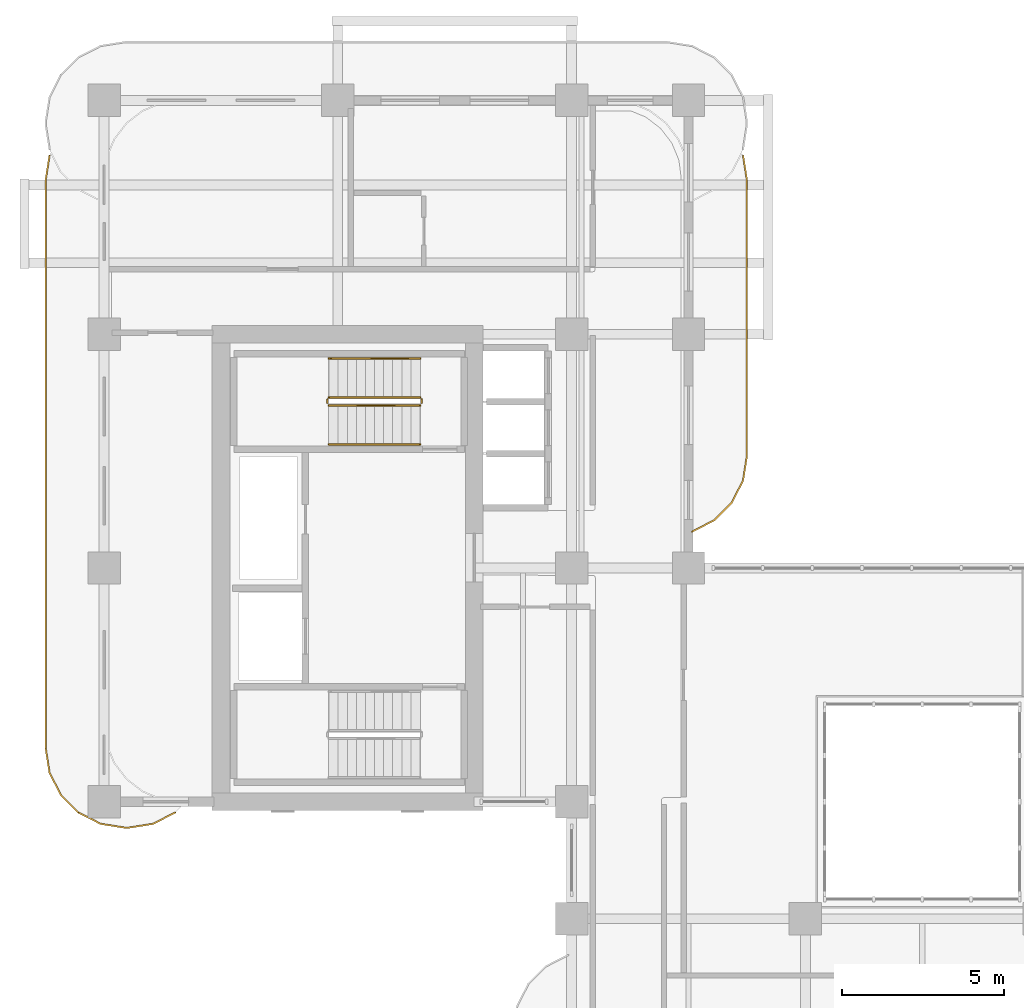
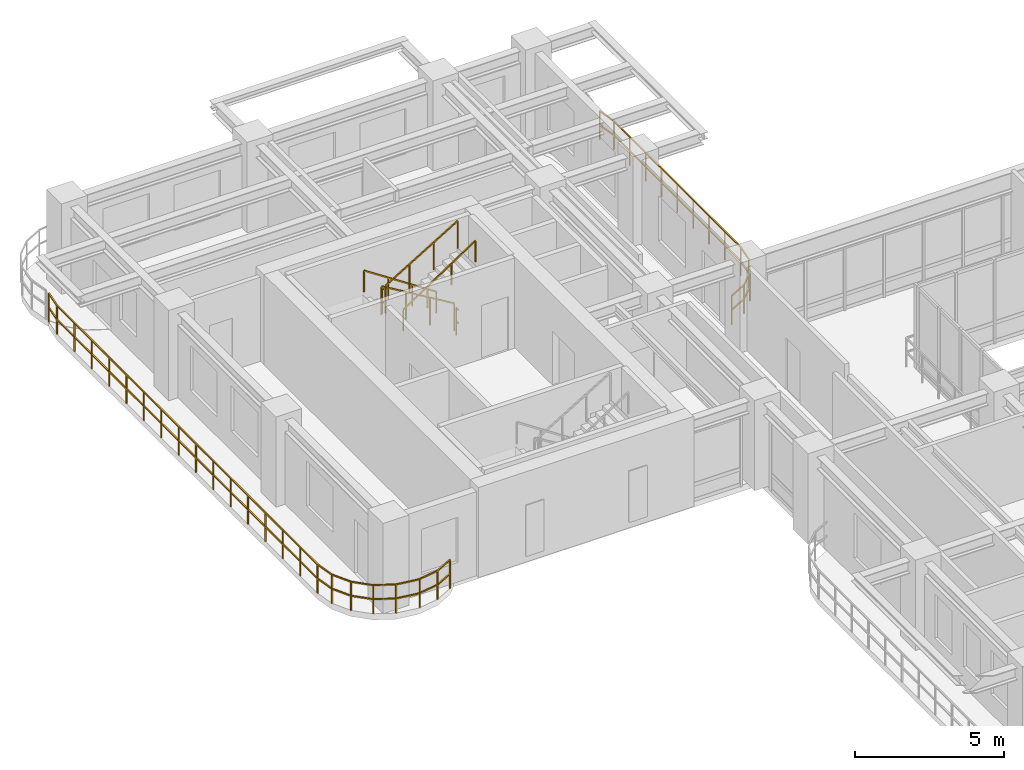
# One storey, part 19 of 20: 8 railings.
"""IFC4 building model written with IfcOpenShell, lengths in metres."""

from ifc_helpers import new_model, si_unit, derived_unit, direction, frame, origin, origin_2d, place, context, subcontext, project, spatial, rectangle, extrude, material, type_object, element, save


model = new_model("IFC4")

# Units and contexts
model_context = context("Model", 3, precision=1e-05, world=origin(), true_north=direction((0.0, 1.0)))
body_context = subcontext(model_context, "Body", "Model", "MODEL_VIEW")
ifc_project = project(units=[si_unit("LENGTHUNIT", "METRE"), si_unit("AREAUNIT", "SQUARE_METRE"), si_unit("VOLUMEUNIT", "CUBIC_METRE"), si_unit("PLANEANGLEUNIT", "RADIAN"), si_unit("MASSUNIT", "GRAM", prefix="KILO"), si_unit("THERMODYNAMICTEMPERATUREUNIT", "KELVIN"), si_unit("POWERUNIT", "WATT"), derived_unit("THERMALTRANSMITTANCEUNIT", [(si_unit("POWERUNIT", "WATT"), 1), (si_unit("AREAUNIT", "SQUARE_METRE"), -1), (si_unit("THERMODYNAMICTEMPERATUREUNIT", "KELVIN"), -1)])], contexts=[model_context])

# Site, building, storey
site_placement = place(None, origin())
site = spatial("IfcSite", under=ifc_project, at=site_placement, CompositionType="ELEMENT")
building_placement = place(site_placement, origin())
building = spatial("IfcBuilding", under=site, at=building_placement, Name="Zahravan Archway Hotel and Residences", CompositionType="ELEMENT")
storey_placement = place(building_placement, frame((0.0, 0.0, 111.800048828125)))
storey = spatial("IfcBuildingStorey", under=building, at=storey_placement, Name="L27", CompositionType="ELEMENT", Elevation=111.800048828125)

# Railings
ifc_material_1 = material(Name="Bronze & Laminated Glass Balustrade", Category="glass")
railing_type_1 = type_object("IfcRailingType", Name="RL-BAL-1200", PredefinedType="BALUSTRADE", material=ifc_material_1)
railing_1_placement = place(storey_placement, frame((2.190185546875, 24.867919921875, 0.0)))
element("IfcRailing", 1, at=railing_1_placement, inside=storey, type_object=railing_type_1, Name="L27 Balustrade RL-SLB-BAL-L27-WB-1", PredefinedType="BALUSTRADE", context=body_context, shape_type="SweptSolid", body=[
    extrude(rectangle(XDim=0.048095703125, YDim=0.048095703125, at=origin_2d()), frame((0.0, 0.0, 1.17578125), z_axis=(-0.891090529897, -0.453825591531, 0.0), x_axis=(0.453825591531, -0.891090529897, 0.0)), (0.0, 0.0, 1.0), 0.7666015625),
    extrude(rectangle(XDim=0.048095703125, YDim=0.048095703125, at=origin_2d()), frame((0.0, 0.0, 0.60009765625), z_axis=(-0.891090529897, -0.453825591531, 0.0), x_axis=(0.453825591531, -0.891090529897, 0.0)), (0.0, 0.0, 1.0), 0.7666015625),
    extrude(rectangle(XDim=0.048095703125, YDim=0.048095703125, at=origin_2d()), frame((-0.68310546875, -0.347900390625, 1.17578125), z_axis=(-0.987646484274, -0.156698507018, 0.0), x_axis=(0.156698507018, -0.987646484274, 0.0)), (0.0, 0.0, 1.0), 0.7666015625),
    extrude(rectangle(XDim=0.048095703125, YDim=0.048095703125, at=origin_2d()), frame((-0.68310546875, -0.347900390625, 0.60009765625), z_axis=(-0.987646484274, -0.156698507018, 0.0), x_axis=(0.156698507018, -0.987646484274, 0.0)), (0.0, 0.0, 1.0), 0.7666015625),
    extrude(rectangle(XDim=0.048095703125, YDim=0.048095703125, at=origin_2d()), frame((-1.440185546875, -0.468017578125, 1.17578125), z_axis=(-1.0, 0.0, 0.0), x_axis=(0.0, -1.0, 0.0)), (0.0, 0.0, 1.0), 0.10009765625),
    extrude(rectangle(XDim=0.048095703125, YDim=0.048095703125, at=origin_2d()), frame((-1.440185546875, -0.468017578125, 0.60009765625), z_axis=(-1.0, 0.0, 0.0), x_axis=(0.0, -1.0, 0.0)), (0.0, 0.0, 1.0), 0.10009765625),
    extrude(rectangle(XDim=0.048095703125, YDim=0.048095703125, at=origin_2d()), frame((-1.540283203125, -0.468017578125, 1.17578125), z_axis=(-0.987646484274, 0.156698507018, 0.0), x_axis=(-0.156698507018, -0.987646484274, 0.0)), (0.0, 0.0, 1.0), 0.7666015625),
    extrude(rectangle(XDim=0.048095703125, YDim=0.048095703125, at=origin_2d()), frame((-1.540283203125, -0.468017578125, 0.60009765625), z_axis=(-0.987646484274, 0.156698507018, 0.0), x_axis=(-0.156698507018, -0.987646484274, 0.0)), (0.0, 0.0, 1.0), 0.7666015625),
    extrude(rectangle(XDim=0.048095703125, YDim=0.048095703125, at=origin_2d()), frame((-2.29736328125, -0.347900390625, 1.17578125), z_axis=(-0.891024909783, 0.453954414172, 0.0), x_axis=(-0.453954414172, -0.891024909783, 0.0)), (0.0, 0.0, 1.0), 0.766357421875),
    extrude(rectangle(XDim=0.048095703125, YDim=0.048095703125, at=origin_2d()), frame((-2.29736328125, -0.347900390625, 0.60009765625), z_axis=(-0.891024909783, 0.453954414172, 0.0), x_axis=(-0.453954414172, -0.891024909783, 0.0)), (0.0, 0.0, 1.0), 0.766357421875),
    extrude(rectangle(XDim=0.048095703125, YDim=0.048095703125, at=origin_2d()), frame((-2.980224609375, 0.0, 1.17578125), z_axis=(-0.707106781187, 0.707106781187, 0.0), x_axis=(-0.707106781187, -0.707106781187, 0.0)), (0.0, 0.0, 1.0), 0.7666015625),
    extrude(rectangle(XDim=0.048095703125, YDim=0.048095703125, at=origin_2d()), frame((-2.980224609375, 0.0, 0.60009765625), z_axis=(-0.707106781187, 0.707106781187, 0.0), x_axis=(-0.707106781187, -0.707106781187, 0.0)), (0.0, 0.0, 1.0), 0.7666015625),
    extrude(rectangle(XDim=0.048095703125, YDim=0.048095703125, at=origin_2d()), frame((-3.522216796875, 0.5419921875, 1.17578125), z_axis=(-0.454078418624, 0.890961721815, 0.0), x_axis=(-0.890961721815, -0.454078418624, 0.0)), (0.0, 0.0, 1.0), 0.7666015625),
    extrude(rectangle(XDim=0.048095703125, YDim=0.048095703125, at=origin_2d()), frame((-3.522216796875, 0.5419921875, 0.60009765625), z_axis=(-0.454078418624, 0.890961721815, 0.0), x_axis=(-0.890961721815, -0.454078418624, 0.0)), (0.0, 0.0, 1.0), 0.7666015625),
    extrude(rectangle(XDim=0.048095703125, YDim=0.048095703125, at=origin_2d()), frame((-3.870361328125, 1.22509765625, 1.17578125), z_axis=(-0.156387811283, 0.987695728695, 0.0), x_axis=(-0.987695728695, -0.156387811283, 0.0)), (0.0, 0.0, 1.0), 0.7666015625),
    extrude(rectangle(XDim=0.048095703125, YDim=0.048095703125, at=origin_2d()), frame((-3.870361328125, 1.22509765625, 0.60009765625), z_axis=(-0.156387811283, 0.987695728695, 0.0), x_axis=(-0.987695728695, -0.156387811283, 0.0)), (0.0, 0.0, 1.0), 0.7666015625),
    extrude(rectangle(XDim=0.048095703125, YDim=0.048095703125, at=origin_2d()), frame((-3.990234375, 1.982177734375, 1.17578125), z_axis=(0.0, 1.0, 0.0), x_axis=(-1.0, 0.0, 0.0)), (0.0, 0.0, 1.0), 17.5),
    extrude(rectangle(XDim=0.048095703125, YDim=0.048095703125, at=origin_2d()), frame((-3.990234375, 1.982177734375, 0.60009765625), z_axis=(0.0, 1.0, 0.0), x_axis=(-1.0, 0.0, 0.0)), (0.0, 0.0, 1.0), 17.5),
    extrude(rectangle(XDim=0.048095703125, YDim=0.048095703125, at=origin_2d()), frame((-3.990234375, 19.482177734375, 1.17578125), z_axis=(0.156387811283, 0.987695728695, 0.0), x_axis=(-0.987695728695, 0.156387811283, 0.0)), (0.0, 0.0, 1.0), 0.7666015625),
    extrude(rectangle(XDim=0.048095703125, YDim=0.048095703125, at=origin_2d()), frame((-3.990234375, 19.482177734375, 0.60009765625), z_axis=(0.156387811283, 0.987695728695, 0.0), x_axis=(-0.987695728695, 0.156387811283, 0.0)), (0.0, 0.0, 1.0), 0.7666015625),
    extrude(rectangle(XDim=0.0419921875, YDim=0.0419921875, at=origin_2d()), origin(), (0.0, 0.0, 1.0), 1.15185546875),
    extrude(rectangle(XDim=0.0419921875, YDim=0.0419921875, at=origin_2d()), frame((-0.68310546875, -0.347900390625, 0.0)), (0.0, 0.0, 1.0), 1.15185546875),
    extrude(rectangle(XDim=0.0419921875, YDim=0.0419921875, at=origin_2d()), frame((-1.440185546875, -0.468017578125, 0.0)), (0.0, 0.0, 1.0), 1.15185546875),
    extrude(rectangle(XDim=0.0419921875, YDim=0.0419921875, at=origin_2d()), frame((-2.29736328125, -0.347900390625, 0.0)), (0.0, 0.0, 1.0), 1.15185546875),
    extrude(rectangle(XDim=0.0419921875, YDim=0.0419921875, at=origin_2d()), frame((-2.980224609375, 0.0, 0.0)), (0.0, 0.0, 1.0), 1.15185546875),
    extrude(rectangle(XDim=0.0419921875, YDim=0.0419921875, at=origin_2d()), frame((-3.522216796875, 0.5419921875, 0.0)), (0.0, 0.0, 1.0), 1.15185546875),
    extrude(rectangle(XDim=0.0419921875, YDim=0.0419921875, at=origin_2d()), frame((-3.870361328125, 1.22509765625, 0.0)), (0.0, 0.0, 1.0), 1.15185546875),
    extrude(rectangle(XDim=0.0419921875, YDim=0.0419921875, at=origin_2d()), frame((-3.990234375, 1.982177734375, 0.0)), (0.0, 0.0, 1.0), 1.15185546875),
    extrude(rectangle(XDim=0.0419921875, YDim=0.0419921875, at=origin_2d()), frame((-3.990234375, 3.14892578125, 0.0)), (0.0, 0.0, 1.0), 1.15185546875),
    extrude(rectangle(XDim=0.0419921875, YDim=0.0419921875, at=origin_2d()), frame((-3.990234375, 4.3154296875, 0.0)), (0.0, 0.0, 1.0), 1.15185546875),
    extrude(rectangle(XDim=0.0419921875, YDim=0.0419921875, at=origin_2d()), frame((-3.990234375, 5.482177734375, 0.0)), (0.0, 0.0, 1.0), 1.15185546875),
    extrude(rectangle(XDim=0.0419921875, YDim=0.0419921875, at=origin_2d()), frame((-3.990234375, 6.64892578125, 0.0)), (0.0, 0.0, 1.0), 1.15185546875),
    extrude(rectangle(XDim=0.0419921875, YDim=0.0419921875, at=origin_2d()), frame((-3.990234375, 7.8154296875, 0.0)), (0.0, 0.0, 1.0), 1.15185546875),
    extrude(rectangle(XDim=0.0419921875, YDim=0.0419921875, at=origin_2d()), frame((-3.990234375, 8.982177734375, 0.0)), (0.0, 0.0, 1.0), 1.15185546875),
    extrude(rectangle(XDim=0.0419921875, YDim=0.0419921875, at=origin_2d()), frame((-3.990234375, 10.14892578125, 0.0)), (0.0, 0.0, 1.0), 1.15185546875),
    extrude(rectangle(XDim=0.0419921875, YDim=0.0419921875, at=origin_2d()), frame((-3.990234375, 11.3154296875, 0.0)), (0.0, 0.0, 1.0), 1.15185546875),
    extrude(rectangle(XDim=0.0419921875, YDim=0.0419921875, at=origin_2d()), frame((-3.990234375, 12.482177734375, 0.0)), (0.0, 0.0, 1.0), 1.15185546875),
    extrude(rectangle(XDim=0.0419921875, YDim=0.0419921875, at=origin_2d()), frame((-3.990234375, 13.64892578125, 0.0)), (0.0, 0.0, 1.0), 1.15185546875),
    extrude(rectangle(XDim=0.0419921875, YDim=0.0419921875, at=origin_2d()), frame((-3.990234375, 14.8154296875, 0.0)), (0.0, 0.0, 1.0), 1.15185546875),
    extrude(rectangle(XDim=0.0419921875, YDim=0.0419921875, at=origin_2d()), frame((-3.990234375, 15.982177734375, 0.0)), (0.0, 0.0, 1.0), 1.15185546875),
    extrude(rectangle(XDim=0.0419921875, YDim=0.0419921875, at=origin_2d()), frame((-3.990234375, 17.14892578125, 0.0)), (0.0, 0.0, 1.0), 1.15185546875),
    extrude(rectangle(XDim=0.0419921875, YDim=0.0419921875, at=origin_2d()), frame((-3.990234375, 18.3154296875, 0.0)), (0.0, 0.0, 1.0), 1.15185546875),
    extrude(rectangle(XDim=0.0419921875, YDim=0.0419921875, at=origin_2d()), frame((-3.990234375, 19.482177734375, 0.0)), (0.0, 0.0, 1.0), 1.15185546875),
    extrude(rectangle(XDim=0.0419921875, YDim=0.0419921875, at=origin_2d()), frame((-3.870361328125, 20.2392578125, 0.0)), (0.0, 0.0, 1.0), 1.15185546875),
])
railing_2_placement = place(storey_placement, frame((19.68017578125, 45.107177734375, 0.0)))
element("IfcRailing", 2, at=railing_2_placement, inside=storey, type_object=railing_type_1, Name="L27 Balustrade RL-SLB-BAL-L27-EB-1", PredefinedType="BALUSTRADE", context=body_context, shape_type="SweptSolid", body=[
    extrude(rectangle(XDim=0.048095703125, YDim=0.048095703125, at=origin_2d()), frame((0.0, 0.0, 1.17578125), z_axis=(0.156387811283, -0.987695728695, 0.0), x_axis=(0.987695728695, 0.156387811283, 0.0)), (0.0, 0.0, 1.0), 0.7666015625),
    extrude(rectangle(XDim=0.048095703125, YDim=0.048095703125, at=origin_2d()), frame((0.0, 0.0, 0.60009765625), z_axis=(0.156387811283, -0.987695728695, 0.0), x_axis=(0.987695728695, 0.156387811283, 0.0)), (0.0, 0.0, 1.0), 0.7666015625),
    extrude(rectangle(XDim=0.048095703125, YDim=0.048095703125, at=origin_2d()), frame((0.119873046875, -0.757080078125, 1.17578125), z_axis=(0.0, -1.0, 0.0), x_axis=(1.0, 0.0, 0.0)), (0.0, 0.0, 1.0), 8.5),
    extrude(rectangle(XDim=0.048095703125, YDim=0.048095703125, at=origin_2d()), frame((0.119873046875, -0.757080078125, 0.60009765625), z_axis=(0.0, -1.0, 0.0), x_axis=(1.0, 0.0, 0.0)), (0.0, 0.0, 1.0), 8.5),
    extrude(rectangle(XDim=0.048095703125, YDim=0.048095703125, at=origin_2d()), frame((0.119873046875, -9.257080078125, 1.17578125), z_axis=(-0.156387811283, -0.987695728695, 0.0), x_axis=(0.987695728695, -0.156387811283, 0.0)), (0.0, 0.0, 1.0), 0.7666015625),
    extrude(rectangle(XDim=0.048095703125, YDim=0.048095703125, at=origin_2d()), frame((0.119873046875, -9.257080078125, 0.60009765625), z_axis=(-0.156387811283, -0.987695728695, 0.0), x_axis=(0.987695728695, -0.156387811283, 0.0)), (0.0, 0.0, 1.0), 0.7666015625),
    extrude(rectangle(XDim=0.048095703125, YDim=0.048095703125, at=origin_2d()), frame((0.0, -10.01416015625, 1.17578125), z_axis=(-0.454078418624, -0.890961721815, 0.0), x_axis=(0.890961721815, -0.454078418624, 0.0)), (0.0, 0.0, 1.0), 0.7666015625),
    extrude(rectangle(XDim=0.048095703125, YDim=0.048095703125, at=origin_2d()), frame((0.0, -10.01416015625, 0.60009765625), z_axis=(-0.454078418624, -0.890961721815, 0.0), x_axis=(0.890961721815, -0.454078418624, 0.0)), (0.0, 0.0, 1.0), 0.7666015625),
    extrude(rectangle(XDim=0.048095703125, YDim=0.048095703125, at=origin_2d()), frame((-0.34814453125, -10.697265625, 1.17578125), z_axis=(-0.707106781187, -0.707106781187, 0.0), x_axis=(0.707106781187, -0.707106781187, 0.0)), (0.0, 0.0, 1.0), 0.7666015625),
    extrude(rectangle(XDim=0.048095703125, YDim=0.048095703125, at=origin_2d()), frame((-0.34814453125, -10.697265625, 0.60009765625), z_axis=(-0.707106781187, -0.707106781187, 0.0), x_axis=(0.707106781187, -0.707106781187, 0.0)), (0.0, 0.0, 1.0), 0.7666015625),
    extrude(rectangle(XDim=0.048095703125, YDim=0.048095703125, at=origin_2d()), frame((-0.89013671875, -11.2392578125, 1.17578125), z_axis=(-0.891024909783, -0.453954414172, 0.0), x_axis=(0.453954414172, -0.891024909783, 0.0)), (0.0, 0.0, 1.0), 0.766357421875),
    extrude(rectangle(XDim=0.048095703125, YDim=0.048095703125, at=origin_2d()), frame((-0.89013671875, -11.2392578125, 0.60009765625), z_axis=(-0.891024909783, -0.453954414172, 0.0), x_axis=(0.453954414172, -0.891024909783, 0.0)), (0.0, 0.0, 1.0), 0.766357421875),
    extrude(rectangle(XDim=0.0419921875, YDim=0.0419921875, at=origin_2d()), origin(), (0.0, 0.0, 1.0), 1.15185546875),
    extrude(rectangle(XDim=0.0419921875, YDim=0.0419921875, at=origin_2d()), frame((0.119873046875, -0.757080078125, 0.0)), (0.0, 0.0, 1.0), 1.15185546875),
    extrude(rectangle(XDim=0.0419921875, YDim=0.0419921875, at=origin_2d()), frame((0.119873046875, -1.819580078125, 0.0)), (0.0, 0.0, 1.0), 1.15185546875),
    extrude(rectangle(XDim=0.0419921875, YDim=0.0419921875, at=origin_2d()), frame((0.119873046875, -2.882080078125, 0.0)), (0.0, 0.0, 1.0), 1.15185546875),
    extrude(rectangle(XDim=0.0419921875, YDim=0.0419921875, at=origin_2d()), frame((0.119873046875, -3.944580078125, 0.0)), (0.0, 0.0, 1.0), 1.15185546875),
    extrude(rectangle(XDim=0.0419921875, YDim=0.0419921875, at=origin_2d()), frame((0.119873046875, -5.007080078125, 0.0)), (0.0, 0.0, 1.0), 1.15185546875),
    extrude(rectangle(XDim=0.0419921875, YDim=0.0419921875, at=origin_2d()), frame((0.119873046875, -6.069580078125, 0.0)), (0.0, 0.0, 1.0), 1.15185546875),
    extrude(rectangle(XDim=0.0419921875, YDim=0.0419921875, at=origin_2d()), frame((0.119873046875, -7.132080078125, 0.0)), (0.0, 0.0, 1.0), 1.15185546875),
    extrude(rectangle(XDim=0.0419921875, YDim=0.0419921875, at=origin_2d()), frame((0.119873046875, -8.194580078125, 0.0)), (0.0, 0.0, 1.0), 1.15185546875),
    extrude(rectangle(XDim=0.0419921875, YDim=0.0419921875, at=origin_2d()), frame((0.119873046875, -9.257080078125, 0.0)), (0.0, 0.0, 1.0), 1.15185546875),
    extrude(rectangle(XDim=0.0419921875, YDim=0.0419921875, at=origin_2d()), frame((0.0, -10.01416015625, 0.0)), (0.0, 0.0, 1.0), 1.15185546875),
    extrude(rectangle(XDim=0.0419921875, YDim=0.0419921875, at=origin_2d()), frame((-0.34814453125, -10.697265625, 0.0)), (0.0, 0.0, 1.0), 1.15185546875),
    extrude(rectangle(XDim=0.0419921875, YDim=0.0419921875, at=origin_2d()), frame((-0.89013671875, -11.2392578125, 0.0)), (0.0, 0.0, 1.0), 1.15185546875),
    extrude(rectangle(XDim=0.0419921875, YDim=0.0419921875, at=origin_2d()), frame((-1.572998046875, -11.587158203125, 0.0)), (0.0, 0.0, 1.0), 1.15185546875),
])
ifc_material_2 = material(Name="Painted Tubular Steel", Category="steel")
railing_type_2 = type_object("IfcRailingType", Name="RL-STG-1150", PredefinedType="GUARDRAIL", material=ifc_material_2)
railing_3_placement = place(storey_placement, frame((9.72998046875, 37.64990234375, 0.168212890625)))
element("IfcRailing", 3, at=railing_3_placement, inside=storey, type_object=railing_type_2, Name="L27 ST-B2 stair guard 1", PredefinedType="GUARDRAIL", context=body_context, shape_type="SweptSolid", body=[
    extrude(rectangle(XDim=0.048095703125, YDim=0.048095703125, at=origin_2d()), frame((0.0, 0.0, 1.1259765625), z_axis=(-0.857275202839, 0.0, 0.514858452973), x_axis=(0.0, -1.0, 0.0)), (0.0, 0.0, 1.0), 3.26611328125),
    extrude(rectangle(XDim=0.0419921875, YDim=0.0419921875, at=origin_2d()), origin(), (0.0, 0.0, 1.0), 1.101806640625),
    extrude(rectangle(XDim=0.0419921875, YDim=0.0419921875, at=origin_2d()), frame((-0.933349609375, 0.0, 0.560546875)), (0.0, 0.0, 1.0), 1.101806640625),
    extrude(rectangle(XDim=0.0419921875, YDim=0.0419921875, at=origin_2d()), frame((-1.86669921875, 0.0, 1.12109375)), (0.0, 0.0, 1.0), 1.101806640625),
    extrude(rectangle(XDim=0.0419921875, YDim=0.0419921875, at=origin_2d()), frame((-2.800048828125, 0.0, 1.681640625)), (0.0, 0.0, 1.0), 1.101806640625),
])
railing_4_placement = place(storey_placement, frame((6.8798828125, 37.60009765625, 1.849853515625)))
element("IfcRailing", 4, at=railing_4_placement, inside=storey, type_object=railing_type_2, Name="L27 ST-B2 stair guard 2", PredefinedType="GUARDRAIL", context=body_context, shape_type="SweptSolid", body=[
    extrude(rectangle(XDim=0.048095703125, YDim=0.048095703125, at=origin_2d()), frame((0.0, 0.0, 1.1259765625), z_axis=(0.0, -1.0, 0.0), x_axis=(1.0, 0.0, 0.0)), (0.0, 0.0, 1.0), 0.14013671875),
    extrude(rectangle(XDim=0.048095703125, YDim=0.048095703125, at=origin_2d()), frame((0.0, 0.0, 0.574951171875), z_axis=(0.0, -1.0, 0.0), x_axis=(1.0, 0.0, 0.0)), (0.0, 0.0, 1.0), 0.14013671875),
    extrude(rectangle(XDim=0.0419921875, YDim=0.0419921875, at=origin_2d()), origin(), (0.0, 0.0, 1.0), 1.101806640625),
])
railing_5_placement = place(storey_placement, frame((6.929931640625, 37.409912109375, 2.01806640625)))
element("IfcRailing", 5, at=railing_5_placement, inside=storey, type_object=railing_type_2, Name="L27 ST-B2 stair guard 3", PredefinedType="GUARDRAIL", context=body_context, shape_type="SweptSolid", body=[
    extrude(rectangle(XDim=0.048095703125, YDim=0.048095703125, at=origin_2d()), frame((0.0, 0.0, 1.1259765625), z_axis=(0.857242210791, 0.0, 0.514913383045), x_axis=(0.0, 1.0, 0.0)), (0.0, 0.0, 1.0), 3.266357421875),
    extrude(rectangle(XDim=0.0419921875, YDim=0.0419921875, at=origin_2d()), origin(), (0.0, 0.0, 1.0), 1.101806640625),
    extrude(rectangle(XDim=0.0419921875, YDim=0.0419921875, at=origin_2d()), frame((0.933349609375, 0.0, 0.560546875)), (0.0, 0.0, 1.0), 1.101806640625),
    extrude(rectangle(XDim=0.0419921875, YDim=0.0419921875, at=origin_2d()), frame((1.86669921875, 0.0, 1.121337890625)), (0.0, 0.0, 1.0), 1.101806640625),
    extrude(rectangle(XDim=0.0419921875, YDim=0.0419921875, at=origin_2d()), frame((2.800048828125, 0.0, 1.681884765625)), (0.0, 0.0, 1.0), 1.101806640625),
])
railing_6_placement = place(storey_placement, frame((9.780029296875, 37.60009765625, 0.0)))
element("IfcRailing", 6, at=railing_6_placement, inside=storey, type_object=railing_type_2, Name="L27 ST-B2 stair guard 4", PredefinedType="GUARDRAIL", context=body_context, shape_type="SweptSolid", body=[
    extrude(rectangle(XDim=0.048095703125, YDim=0.048095703125, at=origin_2d()), frame((0.0, 0.0, 1.1259765625), z_axis=(0.0, -1.0, 0.0), x_axis=(1.0, 0.0, 0.0)), (0.0, 0.0, 1.0), 0.14013671875),
    extrude(rectangle(XDim=0.048095703125, YDim=0.048095703125, at=origin_2d()), frame((0.0, 0.0, 0.574951171875), z_axis=(0.0, -1.0, 0.0), x_axis=(1.0, 0.0, 0.0)), (0.0, 0.0, 1.0), 0.14013671875),
    extrude(rectangle(XDim=0.0419921875, YDim=0.0419921875, at=origin_2d()), origin(), (0.0, 0.0, 1.0), 1.101806640625),
])
ifc_material_3 = material(Name="Brushed Stainless Steel", Category="steel")
railing_type_3 = type_object("IfcRailingType", Name="RL-STH-900", PredefinedType="HANDRAIL", material=ifc_material_3)
railing_7_placement = place(storey_placement, frame((9.72998046875, 38.85009765625, 0.168212890625)))
element("IfcRailing", 7, at=railing_7_placement, inside=storey, type_object=railing_type_3, Name="L27 ST-B2 stair handrail 1", PredefinedType="HANDRAIL", context=body_context, shape_type="SweptSolid", body=[
    extrude(rectangle(XDim=0.048095703125, YDim=0.048095703125, at=origin_2d()), frame((0.0, 0.0, 0.8759765625), z_axis=(-0.83435981716, 0.0, 0.551220187865), x_axis=(0.0, -1.0, 0.0)), (0.0, 0.0, 1.0), 3.35595703125),
    extrude(rectangle(XDim=0.0419921875, YDim=0.0419921875, at=origin_2d()), origin(), (0.0, 0.0, 1.0), 0.851806640625),
    extrude(rectangle(XDim=0.0419921875, YDim=0.0419921875, at=origin_2d()), frame((-0.933349609375, 0.0, 0.61669921875)), (0.0, 0.0, 1.0), 0.851806640625),
    extrude(rectangle(XDim=0.0419921875, YDim=0.0419921875, at=origin_2d()), frame((-1.86669921875, 0.0, 1.233154296875)), (0.0, 0.0, 1.0), 0.851806640625),
    extrude(rectangle(XDim=0.0419921875, YDim=0.0419921875, at=origin_2d()), frame((-2.800048828125, 0.0, 1.849853515625)), (0.0, 0.0, 1.0), 0.851806640625),
])
railing_8_placement = place(storey_placement, frame((6.929931640625, 36.2099609375, 2.01806640625)))
element("IfcRailing", 8, at=railing_8_placement, inside=storey, type_object=railing_type_3, Name="L27 ST-B2 stair handrail 2", PredefinedType="HANDRAIL", context=body_context, shape_type="SweptSolid", body=[
    extrude(rectangle(XDim=0.048095703125, YDim=0.048095703125, at=origin_2d()), frame((0.0, 0.0, 0.8759765625), z_axis=(0.834326358476, 0.0, 0.551270829586), x_axis=(0.0, 1.0, 0.0)), (0.0, 0.0, 1.0), 3.35595703125),
    extrude(rectangle(XDim=0.0419921875, YDim=0.0419921875, at=origin_2d()), origin(), (0.0, 0.0, 1.0), 0.851806640625),
    extrude(rectangle(XDim=0.0419921875, YDim=0.0419921875, at=origin_2d()), frame((0.933349609375, 0.0, 0.61669921875)), (0.0, 0.0, 1.0), 0.851806640625),
    extrude(rectangle(XDim=0.0419921875, YDim=0.0419921875, at=origin_2d()), frame((1.86669921875, 0.0, 1.2333984375)), (0.0, 0.0, 1.0), 0.851806640625),
    extrude(rectangle(XDim=0.0419921875, YDim=0.0419921875, at=origin_2d()), frame((2.800048828125, 0.0, 1.85009765625)), (0.0, 0.0, 1.0), 0.851806640625),
])

save(model, "model.ifc")
